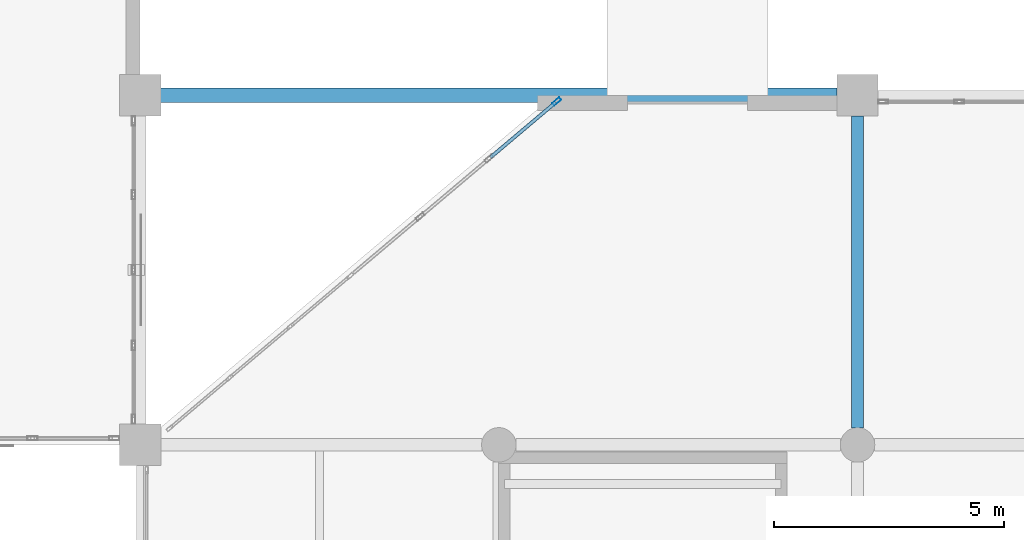
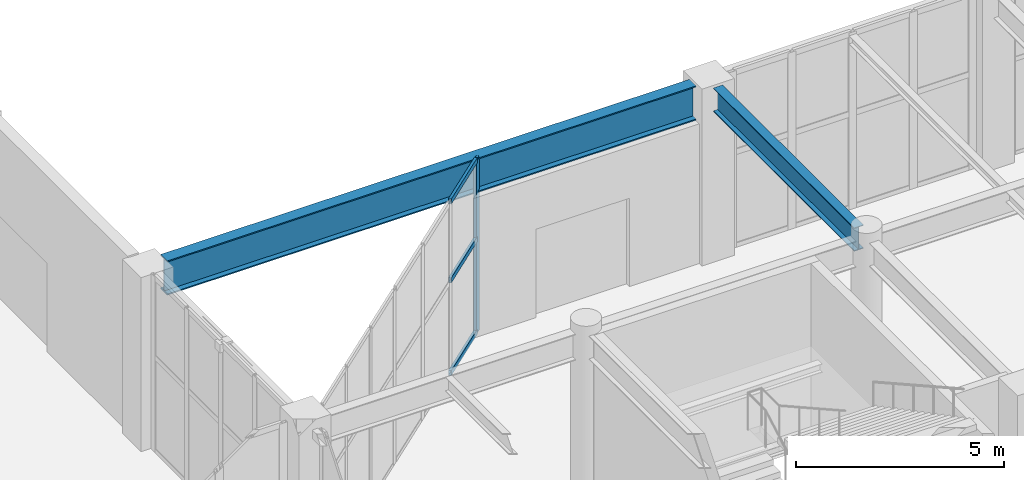
# One storey, part 88 of 139: 4 members, 2 beams, 1 element without a shape of its own.
"""IFC4 building model written with IfcOpenShell, lengths in metres."""

from ifc_helpers import new_model, si_unit, direction, frame, origin, origin_2d, place, context, subcontext, project, spatial, hollow_rectangle, i_section, extrude, material, layer, layer_set, material_profile, profile_set, type_object, element, aggregate, save


model = new_model("IFC4")

# Units and contexts
model_context = context("Model", 3, precision=1e-05, world=origin(), true_north=direction((0.0, 1.0)))
body_context = subcontext(model_context, "Body", "Model", "MODEL_VIEW")
ifc_project = project(units=[si_unit("LENGTHUNIT", "METRE"), si_unit("AREAUNIT", "SQUARE_METRE"), si_unit("VOLUMEUNIT", "CUBIC_METRE"), si_unit("PLANEANGLEUNIT", "RADIAN"), si_unit("MASSUNIT", "GRAM", prefix="KILO")], contexts=[model_context])

# Site, building, storey
site_placement = place(None, origin())
site = spatial("IfcSite", under=ifc_project, at=site_placement, CompositionType="ELEMENT")
building_placement = place(site_placement, origin())
building = spatial("IfcBuilding", under=site, at=building_placement, Name="Xicomal Pleat Aquarium", CompositionType="ELEMENT")
storey_placement = place(building_placement, origin())
storey = spatial("IfcBuildingStorey", under=building, at=storey_placement, Name="L01", CompositionType="ELEMENT", Elevation=0.0)

# Beams
ifc_material_1 = material(Name="Structural steel A992 Gr 50", Category="steel")
ifc_material_profile_1 = material_profile(ifc_material_1, i_section(OverallWidth=0.320068359375, OverallDepth=1.008056640625, WebThickness=0.01953125, FlangeThickness=0.033935546875, at=origin_2d()), Name="IR 1000x321")
ifc_profile_set_1 = profile_set([ifc_material_profile_1], Name="Structural steel A992 Gr 50")
beam_type_1 = type_object("IfcBeamType", Name="BM-STL-IR1000", PredefinedType="BEAM", material=ifc_profile_set_1)
beam_1_placement = place(storey_placement, frame((134.2451171875, 38.0, 4.615966796875), z_axis=(1.0, 0.0, 0.0), x_axis=(0.0, 1.0, 0.0)))
element("IfcBeam", 1, at=beam_1_placement, inside=storey, type_object=beam_type_1, Name="L01 framing beam FGX-L01-17-19-F", PredefinedType="BEAM", context=body_context, shape_type="SweptSolid", body=[
    extrude(i_section(OverallWidth=0.320068359375, OverallDepth=1.008056640625, WebThickness=0.01953125, FlangeThickness=0.033935546875, at=origin_2d()), origin(), (0.0, 0.0, 1.0), 14.7099609375),
])
ifc_material_2 = material(Name="Structural steel A992 Gr 50", Category="steel")
ifc_material_profile_2 = material_profile(ifc_material_2, i_section(OverallWidth=0.256103515625, OverallDepth=0.693115234375, WebThickness=0.014404296875, FlangeThickness=0.023681640625, at=origin_2d()), Name="IR 690x170")
ifc_profile_set_2 = profile_set([ifc_material_profile_2], Name="Structural steel A992 Gr 50")
beam_type_2 = type_object("IfcBeamType", Name="BM-STL-IR690", PredefinedType="BEAM", material=ifc_profile_set_2)
beam_2_placement = place(storey_placement, frame((149.39990234375, 30.77001953125, 4.7734375), z_axis=(0.0, 1.0, 0.0), x_axis=(-1.0, 0.0, 0.0)))
element("IfcBeam", 2, at=beam_2_placement, inside=storey, type_object=beam_type_2, Name="L01 framing beam FGY-L01-19-E-F", PredefinedType="BEAM", context=body_context, shape_type="SweptSolid", body=[
    extrude(i_section(OverallWidth=0.256103515625, OverallDepth=0.693115234375, WebThickness=0.014404296875, FlangeThickness=0.023681640625, at=origin_2d()), origin(), (0.0, 0.0, 1.0), 6.784912109375),
])

# Curtain wall, members
ifc_material_3 = material(Name="Bronze anodized aluminium 6063-T6", Category="aluminium")
ifc_layer = layer(ifc_material_3, 0.159912109375)
ifc_layer_set = layer_set([ifc_layer], Name="Bronze anodized aluminium 6063-T6")
curtain_wall_type = type_object("IfcCurtainWallType", Name="CW-SYS-06", PredefinedType="NOTDEFINED", material=ifc_layer_set)
curtain_wall_placement = place(storey_placement, origin())
curtain_wall = element("IfcCurtainWall", 3, at=curtain_wall_placement, inside=storey, type_object=curtain_wall_type, Name="L01 unitised curtain wall CW-L01-055", PredefinedType="NOTDEFINED")
ifc_material_4 = material(Name="Bronze anodized aluminium 6063-T6", Category="aluminium")
ifc_material_profile_3 = material_profile(ifc_material_4, hollow_rectangle(XDim=0.074951171875, YDim=0.199951171875, WallThickness=0.00439453125, at=origin_2d()), Name="ALU MULL 75x200")
ifc_profile_set_3 = profile_set([ifc_material_profile_3], Name="Bronze anodized aluminium 6063-T6")
member_type_1 = type_object("IfcMemberType", Name="CWM-75x200", PredefinedType="MULLION", material=ifc_profile_set_3)
member_1_placement = place(storey_placement, frame((142.861328125, 37.868896484375, 0.0), z_axis=(0.0, 0.0, 1.0), x_axis=(-0.645180817828, 0.764029915846, 0.0)))
member_1 = element("IfcMember", 4, at=member_1_placement, type_object=member_type_1, Name="CW-06 mullion 4", PredefinedType="MULLION", context=body_context, shape_type="SweptSolid", body=[
    extrude(hollow_rectangle(XDim=0.074951171875, YDim=0.199951171875, WallThickness=0.00439453125, at=origin_2d()), origin(), (0.0, 0.0, 1.0), 5.1201171875),
])
ifc_material_5 = material(Name="Bronze anodized aluminium 6063-T6", Category="aluminium")
ifc_material_profile_4 = material_profile(ifc_material_5, hollow_rectangle(XDim=0.074951171875, YDim=0.14990234375, WallThickness=0.00439453125, at=origin_2d()), Name="ALU TRAN 75x150")
ifc_profile_set_4 = profile_set([ifc_material_profile_4], Name="Bronze anodized aluminium 6063-T6")
member_type_2 = type_object("IfcMemberType", Name="CWT-75x150", PredefinedType="USERDEFINED", material=ifc_profile_set_4)
member_2_placement = place(storey_placement, frame((141.418701171875, 36.650390625, 0.03759765625), z_axis=(0.764031360825, 0.645179106664, 0.0), x_axis=(-0.645179106664, 0.764031360825, 0.0)))
member_2 = element("IfcMember", 5, at=member_2_placement, type_object=member_type_2, Name="CW-06 transom 3.1", ObjectType="TRANSOM", PredefinedType="USERDEFINED", context=body_context, shape_type="SweptSolid", body=[
    extrude(hollow_rectangle(XDim=0.074951171875, YDim=0.14990234375, WallThickness=0.00439453125, at=origin_2d()), origin(), (0.0, 0.0, 1.0), 1.850830078125),
])
member_3_placement = place(storey_placement, frame((141.418701171875, 36.650390625, 2.764892578125), z_axis=(0.764031360825, 0.645179106664, 0.0), x_axis=(-0.645179106664, 0.764031360825, 0.0)))
member_3 = element("IfcMember", 6, at=member_3_placement, type_object=member_type_2, Name="CW-06 transom 3.2", ObjectType="TRANSOM", PredefinedType="USERDEFINED", context=body_context, shape_type="SweptSolid", body=[
    extrude(hollow_rectangle(XDim=0.074951171875, YDim=0.14990234375, WallThickness=0.00439453125, at=origin_2d()), origin(), (0.0, 0.0, 1.0), 1.850830078125),
])
member_4_placement = place(storey_placement, frame((141.418701171875, 36.650390625, 5.08251953125), z_axis=(0.764031360825, 0.645179106664, 0.0), x_axis=(-0.645179106664, 0.764031360825, 0.0)))
member_4 = element("IfcMember", 7, at=member_4_placement, type_object=member_type_2, Name="CW-06 transom 3.3", ObjectType="TRANSOM", PredefinedType="USERDEFINED", context=body_context, shape_type="SweptSolid", body=[
    extrude(hollow_rectangle(XDim=0.074951171875, YDim=0.14990234375, WallThickness=0.00439453125, at=origin_2d()), origin(), (0.0, 0.0, 1.0), 1.850830078125),
])
aggregate(curtain_wall, [member_1, member_2, member_3, member_4])

save(model, "model.ifc")
